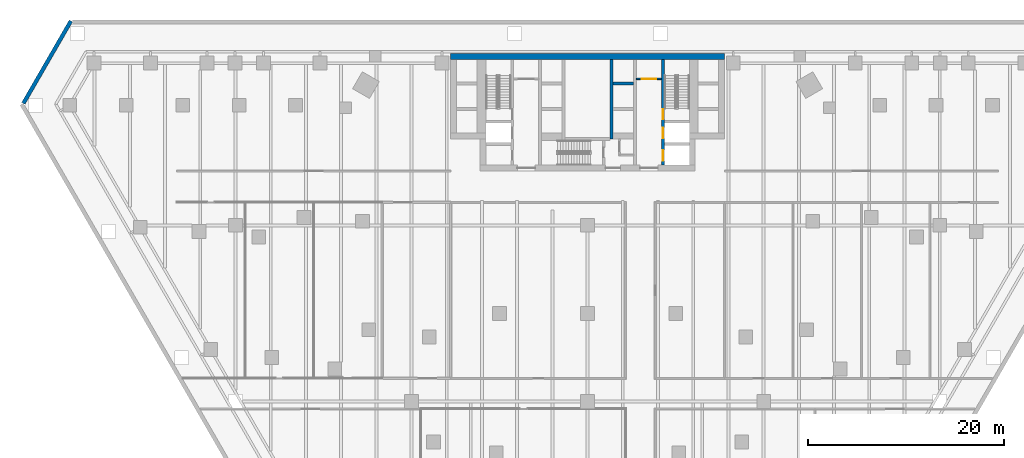
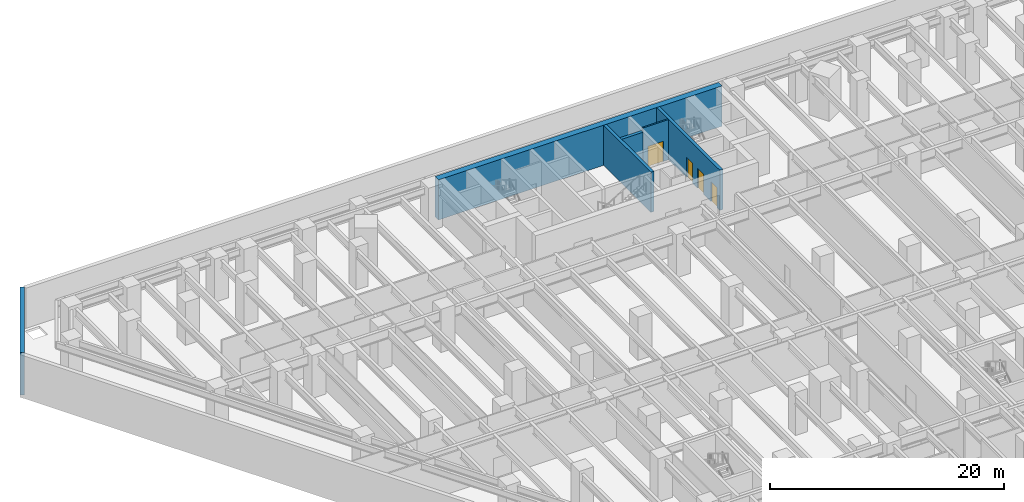
# One storey, part 15 of 20: 6 walls, 4 doors, 4 openings.
"""IFC4 building model written with IfcOpenShell, lengths in metres."""

from ifc_helpers import new_model, si_unit, direction, frame, frame_2d, origin, place, context, subcontext, project, spatial, rectangle, extrude, material, layer, layer_set, type_object, element, fill, save


model = new_model("IFC4")

# Units and contexts
model_context = context("Model", 3, precision=1e-05, world=origin(), true_north=direction((0.0, 1.0)))
body_context = subcontext(model_context, "Body", "Model", "MODEL_VIEW")
ifc_project = project(units=[si_unit("LENGTHUNIT", "METRE"), si_unit("AREAUNIT", "SQUARE_METRE"), si_unit("VOLUMEUNIT", "CUBIC_METRE"), si_unit("PLANEANGLEUNIT", "RADIAN"), si_unit("MASSUNIT", "GRAM", prefix="KILO")], contexts=[model_context])

# Site, building, storey
site_placement = place(None, origin())
site = spatial("IfcSite", under=ifc_project, at=site_placement, CompositionType="ELEMENT")
building_placement = place(site_placement, origin())
building = spatial("IfcBuilding", under=site, at=building_placement, Name="Aloe Facet Convention Tower", CompositionType="ELEMENT")
storey_placement = place(building_placement, frame((0.0, 0.0, -4.5)))
storey = spatial("IfcBuildingStorey", under=building, at=storey_placement, Name="B1", CompositionType="ELEMENT", Elevation=-4.5)

# Wall, opening, door
ifc_material_1 = material(Name="Concrete blockwork partition", Category="masonry")
ifc_layer_1 = layer(ifc_material_1, 0.14990234375)
ifc_layer_set_1 = layer_set([ifc_layer_1], Name="CR-W-PART150")
wall_type_1 = type_object("IfcWallType", Name="CR-W-PART150", PredefinedType="PARTITIONING", material=ifc_layer_set_1)
wall_1_placement = place(storey_placement, frame((85.0, 131.97509765625, 0.0), z_axis=(0.0, 0.0, 1.0), x_axis=(1.0, 0.0, 0.0)))
wall_1 = element("IfcWall", 1, at=wall_1_placement, inside=storey, type_object=wall_type_1, Name="Core partition B1-027", PredefinedType="PARTITIONING", context=body_context, shape_type="SweptSolid", body=[
    extrude(rectangle(XDim=2.550048828125, YDim=0.14990234375, at=frame_2d((1.27490234375, 0.0))), origin(), (0.0, 0.0, 1.0), 4.199951171875),
])
opening_1_placement = place(wall_1_placement, frame((0.52490234375, 0.0, 0.0)))
opening_1 = element("IfcOpeningElement", 2, at=opening_1_placement, cuts=wall_1, Name="Opening B1-CD07", PredefinedType="OPENING", context=body_context, shape_type="SweptSolid", body=[
    extrude(rectangle(XDim=1.5, YDim=2.10009765625, at=frame_2d((0.75, 1.050048828125))), frame((0.0, 0.0849609375, 0.0), z_axis=(0.0, -1.0, 0.0), x_axis=(1.0, 0.0, 0.0)), (0.0, 0.0, 1.0), 0.169921875),
])
ifc_material_2 = material(Name="Steel fire-resisting door set FD60", Category="steel")
door_type_1 = type_object("IfcDoorType", Name="CR-D-REFUGE-1500-FD60-DD", OperationType="DOUBLE_DOOR_DOUBLE_SWING", PredefinedType="DOOR", material=ifc_material_2)
door_1_placement = place(opening_1_placement, origin())
door_1 = element("IfcDoor", 3, at=door_1_placement, inside=storey, type_object=door_type_1, Name="Core door B1-CD07", OperationType="DOUBLE_DOOR_DOUBLE_SWING", OverallHeight=2.10009765625, OverallWidth=1.5, PredefinedType="DOOR", context=body_context, shape_type="SweptSolid", body=[
    extrude(rectangle(XDim=1.5, YDim=2.10009765625, at=frame_2d((0.75, 1.050048828125))), frame((0.0, 0.02490234375, 0.0), z_axis=(0.0, -1.0, 0.0), x_axis=(1.0, 0.0, 0.0)), (0.0, 0.0, 1.0), 0.050048828125),
])
fill(opening_1, door_1)

# Walls
ifc_material_3 = material(Name="Concrete C80/95", Category="concrete")
ifc_layer_2 = layer(ifc_material_3, 0.300048828125)
ifc_layer_set_2 = layer_set([ifc_layer_2], Name="CR-W-RC300-C8095")
wall_type_2 = type_object("IfcWallType", Name="CR-W-RC300-C8095", PredefinedType="SOLIDWALL", material=ifc_layer_set_2)
wall_2_placement = place(storey_placement, frame((82.449951171875, 133.949951171875, 0.0), z_axis=(0.0, 0.0, 1.0), x_axis=(0.0, -1.0, 0.0)))
element("IfcWall", 4, at=wall_2_placement, inside=storey, type_object=wall_type_2, Name="Core wall B1-020", PredefinedType="SOLIDWALL", context=body_context, shape_type="SweptSolid", body=[
    extrude(rectangle(XDim=8.099853515625, YDim=0.300048828125, at=frame_2d((4.0498046875, 0.0))), origin(), (0.0, 0.0, 1.0), 4.199951171875),
])
wall_3_placement = place(storey_placement, frame((82.60009765625, 131.5, 0.0), z_axis=(0.0, 0.0, 1.0), x_axis=(1.0, 0.0, 0.0)))
element("IfcWall", 5, at=wall_3_placement, inside=storey, type_object=wall_type_2, Name="Core wall B1-021", PredefinedType="SOLIDWALL", context=body_context, shape_type="SweptSolid", body=[
    extrude(rectangle(XDim=2.099853515625, YDim=0.300048828125, at=frame_2d((1.0498046875, 0.0))), origin(), (0.0, 0.0, 1.0), 4.199951171875),
])

# Wall, openings, doors
wall_4_placement = place(storey_placement, frame((87.699951171875, 133.949951171875, 0.0), z_axis=(0.0, 0.0, 1.0), x_axis=(0.0, -1.0, 0.0)))
wall_4 = element("IfcWall", 6, at=wall_4_placement, inside=storey, type_object=wall_type_2, Name="Core wall B1-028", PredefinedType="SOLIDWALL", context=body_context, shape_type="SweptSolid", body=[
    extrude(rectangle(XDim=10.800048828125, YDim=0.300048828125, at=frame_2d((5.39990234375, 0.0))), origin(), (0.0, 0.0, 1.0), 4.199951171875),
])
opening_2_placement = place(wall_4_placement, frame((6.949951171875, 0.0, 0.0)))
opening_2 = element("IfcOpeningElement", 7, at=opening_2_placement, cuts=wall_4, Name="Opening LD-FF2-B1", PredefinedType="OPENING", context=body_context, shape_type="SweptSolid", body=[
    extrude(rectangle(XDim=1.10009765625, YDim=2.10009765625, at=frame_2d((0.550048828125, 1.050048828125))), frame((0.0, 0.16015625, 0.0), z_axis=(0.0, -1.0, 0.0), x_axis=(1.0, 0.0, 0.0)), (0.0, 0.0, 1.0), 0.320068359375),
])
opening_3_placement = place(wall_4_placement, frame((5.10009765625, 0.0, 0.0)))
opening_3 = element("IfcOpeningElement", 8, at=opening_3_placement, cuts=wall_4, Name="Opening B1-CD11", PredefinedType="OPENING", context=body_context, shape_type="SweptSolid", body=[
    extrude(rectangle(XDim=1.0, YDim=2.10009765625, at=frame_2d((0.5, 1.050048828125))), frame((0.0, 0.16015625, 0.0), z_axis=(0.0, -1.0, 0.0), x_axis=(1.0, 0.0, 0.0)), (0.0, 0.0, 1.0), 0.320068359375),
])
opening_4_placement = place(wall_4_placement, frame((9.25, 0.0, 0.0)))
opening_4 = element("IfcOpeningElement", 9, at=opening_4_placement, cuts=wall_4, Name="Opening LD-SV1-B1", PredefinedType="OPENING", context=body_context, shape_type="SweptSolid", body=[
    extrude(rectangle(XDim=1.10009765625, YDim=2.10009765625, at=frame_2d((0.550048828125, 1.050048828125))), frame((0.0, 0.16015625, 0.0), z_axis=(0.0, -1.0, 0.0), x_axis=(1.0, 0.0, 0.0)), (0.0, 0.0, 1.0), 0.320068359375),
])
ifc_material_4 = material(Name="Steel fire-resisting door set FD120", Category="steel")
door_type_2 = type_object("IfcDoorType", Name="CR-D-STAIR-1000-FD120-SLEFT", OperationType="SINGLE_SWING_LEFT", PredefinedType="DOOR", material=ifc_material_4)
door_2_placement = place(opening_3_placement, origin())
door_2 = element("IfcDoor", 10, at=door_2_placement, inside=storey, type_object=door_type_2, Name="Core door B1-CD11", OperationType="SINGLE_SWING_LEFT", OverallHeight=2.10009765625, OverallWidth=1.0, PredefinedType="DOOR", context=body_context, shape_type="SweptSolid", body=[
    extrude(rectangle(XDim=1.0, YDim=2.10009765625, at=frame_2d((0.5, 1.050048828125))), frame((0.0, 0.02490234375, 0.0), z_axis=(0.0, -1.0, 0.0), x_axis=(1.0, 0.0, 0.0)), (0.0, 0.0, 1.0), 0.050048828125),
])
fill(opening_3, door_2)
ifc_material_5 = material(Name="Stainless steel sliding landing door", Category="steel")
door_type_3 = type_object("IfcDoorType", Name="CR-LD-1100-FD120-_LEFT", OperationType="SLIDING_TO_LEFT", PredefinedType="DOOR", material=ifc_material_5)
door_3_placement = place(opening_2_placement, origin())
door_3 = element("IfcDoor", 11, at=door_3_placement, inside=storey, type_object=door_type_3, Name="Landing door FF2 B1", OperationType="SLIDING_TO_LEFT", OverallHeight=2.10009765625, OverallWidth=1.10009765625, PredefinedType="DOOR", context=body_context, shape_type="SweptSolid", body=[
    extrude(rectangle(XDim=1.10009765625, YDim=2.10009765625, at=frame_2d((0.550048828125, 1.050048828125))), frame((0.0, 0.02490234375, 0.0), z_axis=(0.0, -1.0, 0.0), x_axis=(1.0, 0.0, 0.0)), (0.0, 0.0, 1.0), 0.050048828125),
])
fill(opening_2, door_3)
door_4_placement = place(opening_4_placement, origin())
door_4 = element("IfcDoor", 12, at=door_4_placement, inside=storey, type_object=door_type_3, Name="Landing door SV1 B1", OperationType="SLIDING_TO_LEFT", OverallHeight=2.10009765625, OverallWidth=1.10009765625, PredefinedType="DOOR", context=body_context, shape_type="SweptSolid", body=[
    extrude(rectangle(XDim=1.10009765625, YDim=2.10009765625, at=frame_2d((0.550048828125, 1.050048828125))), frame((0.0, 0.02490234375, 0.0), z_axis=(0.0, -1.0, 0.0), x_axis=(1.0, 0.0, 0.0)), (0.0, 0.0, 1.0), 0.050048828125),
])
fill(opening_4, door_4)

# Walls
ifc_material_6 = material(Name="Concrete C80/95", Category="concrete")
ifc_layer_3 = layer(ifc_material_6, 0.60009765625)
ifc_layer_set_3 = layer_set([ifc_layer_3], Name="CR-W-RC600-C8095")
wall_type_3 = type_object("IfcWallType", Name="CR-W-RC600-C8095", PredefinedType="SOLIDWALL", material=ifc_layer_set_3)
wall_5_placement = place(storey_placement, frame((66.0, 134.25, 0.0), z_axis=(0.0, 0.0, 1.0), x_axis=(1.0, 0.0, 0.0)))
element("IfcWall", 13, at=wall_5_placement, inside=storey, type_object=wall_type_3, Name="Core wall B1-001", PredefinedType="SOLIDWALL", context=body_context, shape_type="SweptSolid", body=[
    extrude(rectangle(XDim=28.0, YDim=0.60009765625, at=frame_2d((14.0, 0.0))), origin(), (0.0, 0.0, 1.0), 4.199951171875),
])
ifc_material_7 = material(Name="Concrete C40/50", Category="concrete")
ifc_layer_4 = layer(ifc_material_7, 0.39990234375)
ifc_layer_set_4 = layer_set([ifc_layer_4], Name="SF-RW-400")
wall_type_4 = type_object("IfcWallType", Name="SF-RW-400", PredefinedType="SOLIDWALL", material=ifc_layer_set_4)
wall_6_placement = place(storey_placement, frame((22.311767578125, 129.47900390625, -0.25), z_axis=(0.0, 0.0, 1.0), x_axis=(0.500000649954, 0.866025028533, 0.0)))
element("IfcWall", 14, at=wall_6_placement, inside=storey, type_object=wall_type_4, Name="RETAINING WALL B1-04", PredefinedType="SOLIDWALL", context=body_context, shape_type="SweptSolid", body=[
    extrude(rectangle(XDim=9.7236328125, YDim=0.39990234375, at=frame_2d((4.86181640625, 0.0))), origin(), (0.0, 0.0, 1.0), 4.449951171875),
])

save(model, "model.ifc")
